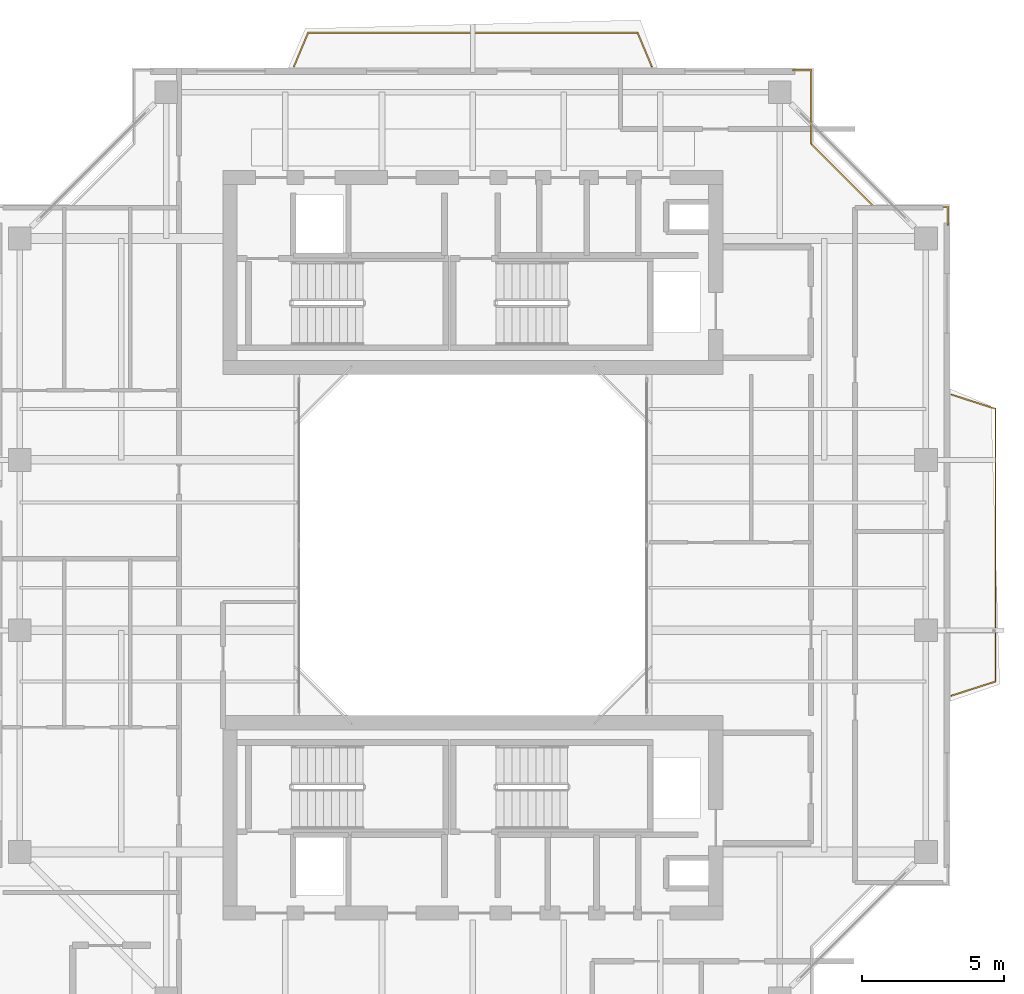
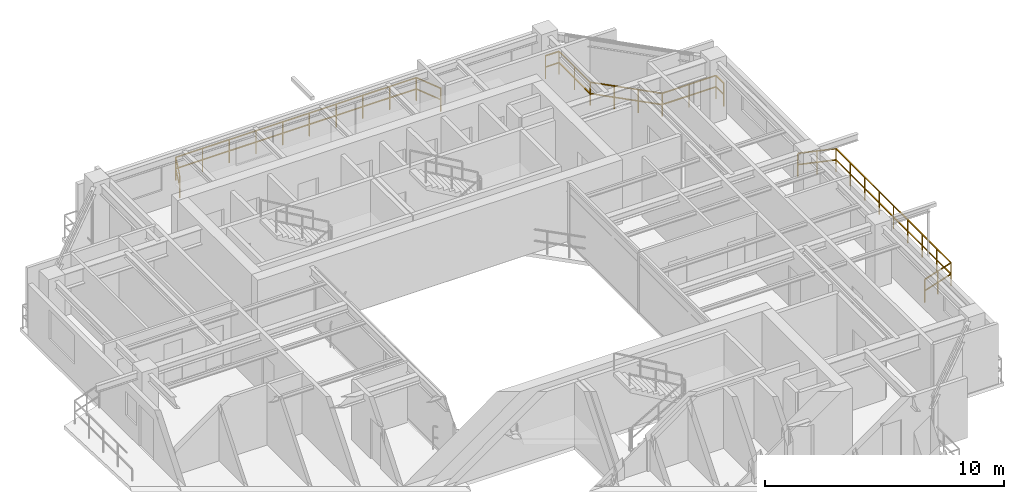
# One storey, part 15 of 15: 3 railings.
"""IFC4 building model written with IfcOpenShell, lengths in metres."""

import ifcopenshell
import ifcopenshell.guid

model = None  # the IFC model being written
_history = None  # IfcOwnerHistory: only IFC2X3 demands one
_inside = {}  # id of a spatial element -> (the spatial element, [elements in it])
_under = {}  # id of a project, library or spatial element -> (it, [spatial elements below it])
_declared = {}  # id of a project -> (the project, [libraries it declares])
_typed = {}  # id of a type object -> (the type object, [elements of that type])
_made_of = {}  # id of a material, layer set ... -> (it, [elements and type objects made of it])


def new_model(schema):
    """Start an empty IFC model of exactly this schema.

    Asked for "IFC4X3", IfcOpenShell would pick the latest addendum, in which some entities
    have other attributes; the version numbers below select the first issue.
    IFC2X3 requires an IfcOwnerHistory on every rooted entity: one is made here for all.
    """
    global model, _history
    if schema == "IFC4X3":
        model = ifcopenshell.file(schema_version=(4, 3, 0, 0))
    else:
        model = ifcopenshell.file(schema=schema)
    _inside.clear()
    _under.clear()
    _declared.clear()
    _typed.clear()
    _made_of.clear()
    _history = None
    if model.schema == "IFC2X3":
        org = make("IfcOrganization", Name="unknown")
        user = make(
            "IfcPersonAndOrganization",
            ThePerson=make("IfcPerson", FamilyName="unknown"),
            TheOrganization=org,
        )
        app = make(
            "IfcApplication",
            ApplicationDeveloper=org,
            Version="unknown",
            ApplicationFullName="unknown",
            ApplicationIdentifier="unknown",
        )
        _history = make(
            "IfcOwnerHistory",
            OwningUser=user,
            OwningApplication=app,
            ChangeAction="ADDED",
            CreationDate=0,
        )
    return model


def make(cls, **values):
    """One entity of the class cls with the attributes given. An attribute that is None is left unset."""
    return model.create_entity(
        cls, **{name: value for name, value in values.items() if value is not None}
    )


def rooted(cls, **values):
    """An entity with a GlobalId (a new one), such as an element, a storey or a relation."""
    return make(cls, GlobalId=ifcopenshell.guid.new(), OwnerHistory=_history, **values)


def si_unit(unit_type, name, prefix=None):
    """IfcSIUnit, for example si_unit("LENGTHUNIT", "METRE", prefix="MILLI")."""
    return make("IfcSIUnit", UnitType=unit_type, Prefix=prefix, Name=name)


def assignment(units):
    """IfcUnitAssignment: the units of a project."""
    return None if units is None else make("IfcUnitAssignment", Units=units)


def point(xyz):
    """IfcCartesianPoint."""
    return None if xyz is None else make("IfcCartesianPoint", Coordinates=xyz)


def direction(xyz):
    """IfcDirection."""
    return None if xyz is None else make("IfcDirection", DirectionRatios=xyz)


def frame(location, z_axis=None, x_axis=None):
    """IfcAxis2Placement3D, a coordinate frame: its origin and axes. An axis left out is left unset."""
    return make(
        "IfcAxis2Placement3D",
        Location=point(location),
        Axis=direction(z_axis),
        RefDirection=direction(x_axis),
    )


def frame_2d(location, x_axis=None):
    """IfcAxis2Placement2D, a coordinate frame in the plane: its origin and x axis."""
    return make(
        "IfcAxis2Placement2D", Location=point(location), RefDirection=direction(x_axis)
    )


def origin():
    """The frame at (0, 0, 0) with its axes left unset."""
    return frame((0.0, 0.0, 0.0))


def origin_2d():
    """The frame at (0, 0) in the plane with its x axis left unset."""
    return frame_2d((0.0, 0.0))


def place(relative_to, where):
    """IfcLocalPlacement: puts the frame where relative to a parent placement (None: the world)."""
    return make(
        "IfcLocalPlacement", PlacementRelTo=relative_to, RelativePlacement=where
    )


def context(
    kind, dimensions, precision=None, world=None, true_north=None, identifier=None
):
    """IfcGeometricRepresentationContext, for example the 3D "Model" context."""
    return make(
        "IfcGeometricRepresentationContext",
        ContextIdentifier=identifier,
        ContextType=kind,
        CoordinateSpaceDimension=dimensions,
        Precision=precision,
        WorldCoordinateSystem=world,
        TrueNorth=true_north,
    )


def subcontext(parent, identifier, kind, view, scale=None):
    """IfcGeometricRepresentationSubContext, for example "Body" below "Model"."""
    return make(
        "IfcGeometricRepresentationSubContext",
        ContextIdentifier=identifier,
        ContextType=kind,
        ParentContext=parent,
        TargetScale=scale,
        TargetView=view,
    )


def project(units=None, contexts=None):
    """IfcProject with its units and contexts."""
    return rooted(
        "IfcProject",
        Name="project",
        RepresentationContexts=contexts,
        UnitsInContext=assignment(units),
    )


def spatial(cls, under=None, at=None, **own):
    """A site, building, storey or space (cls), placed at a placement, below another one or the project."""
    s = rooted(cls, ObjectPlacement=at, **own)
    if under is not None:
        _under.setdefault(under.id(), (under, []))[1].append(s)
    return s


def profile(cls, at=None, kind="AREA", **sizes):
    """A parametric profile (cls). Its sizes go by their IFC names, for example OverallWidth=200.0."""
    return make(cls, ProfileType=kind, Position=at, **sizes)


def rectangle(**sizes):
    """IfcRectangleProfileDef."""
    return profile("IfcRectangleProfileDef", **sizes)


def extrude(swept, where, along, depth):
    """IfcExtrudedAreaSolid: the profile swept, set in the frame where, extruded along a direction by depth."""
    return make(
        "IfcExtrudedAreaSolid",
        SweptArea=swept,
        Position=where,
        ExtrudedDirection=direction(along),
        Depth=depth,
    )


def shape(context_of_items, identifier, shape_type, items):
    """IfcShapeRepresentation: the items that make up one representation, for example the "Body"."""
    return make(
        "IfcShapeRepresentation",
        ContextOfItems=context_of_items,
        RepresentationIdentifier=identifier,
        RepresentationType=shape_type,
        Items=items,
    )


def material(Name=None, Category=None):
    """IfcMaterial."""
    return make("IfcMaterial", Name=Name, Category=Category)


def made_of(thing, what):
    """Note that an element or type object is made of a material, layer set ...; save() writes the relation."""
    if what is not None:
        _made_of.setdefault(what.id(), (what, []))[1].append(thing)
    return thing


def type_object(cls, material=None, **own):
    """A type object (cls), such as IfcWallType, which elements share."""
    return made_of(rooted(cls, **own), material)


def element(
    cls,
    number,
    at=None,
    inside=None,
    cuts=None,
    type_object=None,
    material=None,
    context=None,
    identifier="Body",
    shape_type=None,
    held_by="IfcProductDefinitionShape",
    body=None,
    shapes=None,
    **own,
):
    """One element of the class cls, such as IfcWall. Its Tag is "e" and its number.

    at: its placement. inside: the storey or other place that contains it. cuts: it is an
    opening in that element (IfcRelVoidsElement). A single representation is given by context,
    identifier, shape_type and body (its items); several are given by shapes. held_by: the class
    of the entity that holds the representations. save() writes the other relations.
    """
    e = rooted(cls, Tag="e%d" % number, ObjectPlacement=at, **own)
    if body is not None:
        shapes = [shape(context, identifier, shape_type, body)]
    if shapes is not None:
        e.Representation = make(held_by, Representations=shapes)
    if inside is not None:
        _inside.setdefault(inside.id(), (inside, []))[1].append(e)
    if cuts is not None:
        rooted(
            "IfcRelVoidsElement", RelatingBuildingElement=cuts, RelatedOpeningElement=e
        )
    if type_object is not None:
        _typed.setdefault(type_object.id(), (type_object, []))[1].append(e)
    return made_of(e, material)


def aggregate(whole, parts):
    """IfcRelAggregates: a whole, such as a stair, and the parts it consists of."""
    return rooted("IfcRelAggregates", RelatingObject=whole, RelatedObjects=parts)


def save(model, path):
    """Write the relations noted so far, then the file.

    IfcRelAggregates (storeys below a building ...), IfcRelContainedInSpatialStructure (elements
    in a storey), IfcRelDefinesByType, IfcRelAssociatesMaterial and IfcRelDeclares: one each for
    every whole, place, type object, material and project.
    """
    for whole, parts in _under.values():
        aggregate(whole, parts)
    for where, things in _inside.values():
        rooted(
            "IfcRelContainedInSpatialStructure",
            RelatedElements=things,
            RelatingStructure=where,
        )
    for kind, things in _typed.values():
        rooted("IfcRelDefinesByType", RelatedObjects=things, RelatingType=kind)
    for what, things in _made_of.values():
        rooted("IfcRelAssociatesMaterial", RelatedObjects=things, RelatingMaterial=what)
    for by, libraries in _declared.values():
        rooted("IfcRelDeclares", RelatingContext=by, RelatedDefinitions=libraries)
    model.write(path)


model = new_model("IFC4")

# Units and contexts
model_context = context("Model", 3, precision=1e-05, world=origin(), true_north=direction((0.0, 1.0)))
body_context = subcontext(model_context, "Body", "Model", "MODEL_VIEW")
ifc_project = project(units=[si_unit("LENGTHUNIT", "METRE"), si_unit("AREAUNIT", "SQUARE_METRE"), si_unit("VOLUMEUNIT", "CUBIC_METRE"), si_unit("PLANEANGLEUNIT", "RADIAN"), si_unit("MASSUNIT", "GRAM", prefix="KILO"), si_unit("THERMODYNAMICTEMPERATUREUNIT", "KELVIN"), si_unit("POWERUNIT", "WATT")], contexts=[model_context])

# Site, building, storey
site_placement = place(None, origin())
site = spatial("IfcSite", under=ifc_project, at=site_placement, CompositionType="ELEMENT")
building_placement = place(site_placement, origin())
building = spatial("IfcBuilding", under=site, at=building_placement, Name="Qiaomeng Ring Towers", CompositionType="ELEMENT")
storey_placement = place(building_placement, frame((0.0, 0.0, 193.75)))
storey = spatial("IfcBuildingStorey", under=building, at=storey_placement, Name="L56", CompositionType="ELEMENT", Elevation=193.75)

# Railings
ifc_material = material(Name="Low-E pale-green laminated safety glass", Category="glass")
railing_type = type_object("IfcRailingType", Name="ARC-RL-BAL1", PredefinedType="BALUSTRADE", material=ifc_material)
railing_1_placement = place(storey_placement, frame((35.719970703125, 34.27001953125, 0.0)))
element("IfcRailing", 1, at=railing_1_placement, inside=storey, type_object=railing_type, Name="L56 Balustrade ARC-BAL-NOTCH1-L56-NE", PredefinedType="BALUSTRADE", context=body_context, shape_type="SweptSolid", body=[
    extrude(rectangle(XDim=0.048095703125, YDim=0.048095703125, at=origin_2d()), frame((0.0, 0.0, 1.17578125), z_axis=(0.0, 1.0, 0.0), x_axis=(-1.0, 0.0, 0.0)), (0.0, 0.0, 1.0), 0.64990234375),
    extrude(rectangle(XDim=0.048095703125, YDim=0.048095703125, at=origin_2d()), frame((0.0, 0.0, 0.60009765625), z_axis=(0.0, 1.0, 0.0), x_axis=(-1.0, 0.0, 0.0)), (0.0, 0.0, 1.0), 0.64990234375),
    extrude(rectangle(XDim=0.048095703125, YDim=0.048095703125, at=origin_2d()), frame((0.0, 0.64990234375, 1.17578125), z_axis=(-1.0, 0.0, 0.0), x_axis=(0.0, -1.0, 0.0)), (0.0, 0.0, 1.0), 2.599853515625),
    extrude(rectangle(XDim=0.048095703125, YDim=0.048095703125, at=origin_2d()), frame((0.0, 0.64990234375, 0.60009765625), z_axis=(-1.0, 0.0, 0.0), x_axis=(0.0, -1.0, 0.0)), (0.0, 0.0, 1.0), 2.599853515625),
    extrude(rectangle(XDim=0.048095703125, YDim=0.048095703125, at=origin_2d()), frame((-2.599853515625, 0.64990234375, 1.17578125), z_axis=(-0.707106781187, 0.707106781187, 0.0), x_axis=(-0.707106781187, -0.707106781187, 0.0)), (0.0, 0.0, 1.0), 3.111572265625),
    extrude(rectangle(XDim=0.048095703125, YDim=0.048095703125, at=origin_2d()), frame((-2.599853515625, 0.64990234375, 0.60009765625), z_axis=(-0.707106781187, 0.707106781187, 0.0), x_axis=(-0.707106781187, -0.707106781187, 0.0)), (0.0, 0.0, 1.0), 3.111572265625),
    extrude(rectangle(XDim=0.048095703125, YDim=0.048095703125, at=origin_2d()), frame((-4.800048828125, 2.85009765625, 1.17578125), z_axis=(0.0, 1.0, 0.0), x_axis=(-1.0, 0.0, 0.0)), (0.0, 0.0, 1.0), 2.599853515625),
    extrude(rectangle(XDim=0.048095703125, YDim=0.048095703125, at=origin_2d()), frame((-4.800048828125, 2.85009765625, 0.60009765625), z_axis=(0.0, 1.0, 0.0), x_axis=(-1.0, 0.0, 0.0)), (0.0, 0.0, 1.0), 2.599853515625),
    extrude(rectangle(XDim=0.048095703125, YDim=0.048095703125, at=origin_2d()), frame((-4.800048828125, 5.449951171875, 1.17578125), z_axis=(-1.0, 0.0, 0.0), x_axis=(0.0, -1.0, 0.0)), (0.0, 0.0, 1.0), 0.64990234375),
    extrude(rectangle(XDim=0.048095703125, YDim=0.048095703125, at=origin_2d()), frame((-4.800048828125, 5.449951171875, 0.60009765625), z_axis=(-1.0, 0.0, 0.0), x_axis=(0.0, -1.0, 0.0)), (0.0, 0.0, 1.0), 0.64990234375),
    extrude(rectangle(XDim=0.0419921875, YDim=0.0419921875, at=origin_2d()), origin(), (0.0, 0.0, 1.0), 1.15185546875),
    extrude(rectangle(XDim=0.0419921875, YDim=0.0419921875, at=origin_2d()), frame((0.0, 0.64990234375, 0.0)), (0.0, 0.0, 1.0), 1.15185546875),
    extrude(rectangle(XDim=0.0419921875, YDim=0.0419921875, at=origin_2d()), frame((-1.2998046875, 0.64990234375, 0.0)), (0.0, 0.0, 1.0), 1.15185546875),
    extrude(rectangle(XDim=0.0419921875, YDim=0.0419921875, at=origin_2d()), frame((-2.599853515625, 0.64990234375, 0.0)), (0.0, 0.0, 1.0), 1.15185546875),
    extrude(rectangle(XDim=0.0419921875, YDim=0.0419921875, at=origin_2d()), frame((-3.333251953125, 1.38330078125, 0.0)), (0.0, 0.0, 1.0), 1.15185546875),
    extrude(rectangle(XDim=0.0419921875, YDim=0.0419921875, at=origin_2d()), frame((-4.066650390625, 2.11669921875, 0.0)), (0.0, 0.0, 1.0), 1.15185546875),
    extrude(rectangle(XDim=0.0419921875, YDim=0.0419921875, at=origin_2d()), frame((-4.800048828125, 2.85009765625, 0.0)), (0.0, 0.0, 1.0), 1.15185546875),
    extrude(rectangle(XDim=0.0419921875, YDim=0.0419921875, at=origin_2d()), frame((-4.800048828125, 4.14990234375, 0.0)), (0.0, 0.0, 1.0), 1.15185546875),
    extrude(rectangle(XDim=0.0419921875, YDim=0.0419921875, at=origin_2d()), frame((-4.800048828125, 5.449951171875, 0.0)), (0.0, 0.0, 1.0), 1.15185546875),
    extrude(rectangle(XDim=0.0419921875, YDim=0.0419921875, at=origin_2d()), frame((-5.449951171875, 5.449951171875, 0.0)), (0.0, 0.0, 1.0), 1.15185546875),
])
railing_2_placement = place(storey_placement, frame((35.85009765625, 17.699951171875, 0.0)))
element("IfcRailing", 2, at=railing_2_placement, inside=storey, type_object=railing_type, Name="L56 Balustrade ARC-BAL-L56-T1-E", PredefinedType="BALUSTRADE", context=body_context, shape_type="SweptSolid", body=[
    extrude(rectangle(XDim=0.048095703125, YDim=0.048095703125, at=origin_2d()), frame((0.0, 0.0, 1.17578125), z_axis=(0.951697313001, 0.307037822468, 0.0), x_axis=(-0.307037822468, 0.951697313001, 0.0)), (0.0, 0.0, 1.0), 1.62841796875),
    extrude(rectangle(XDim=0.048095703125, YDim=0.048095703125, at=origin_2d()), frame((0.0, 0.0, 0.60009765625), z_axis=(0.951697313001, 0.307037822468, 0.0), x_axis=(-0.307037822468, 0.951697313001, 0.0)), (0.0, 0.0, 1.0), 1.62841796875),
    extrude(rectangle(XDim=0.048095703125, YDim=0.048095703125, at=origin_2d()), frame((1.5498046875, 0.5, 1.17578125), z_axis=(0.0, 1.0, 0.0), x_axis=(-1.0, 0.0, 0.0)), (0.0, 0.0, 1.0), 9.60009765625),
    extrude(rectangle(XDim=0.048095703125, YDim=0.048095703125, at=origin_2d()), frame((1.5498046875, 0.5, 0.60009765625), z_axis=(0.0, 1.0, 0.0), x_axis=(-1.0, 0.0, 0.0)), (0.0, 0.0, 1.0), 9.60009765625),
    extrude(rectangle(XDim=0.048095703125, YDim=0.048095703125, at=origin_2d()), frame((1.5498046875, 10.10009765625, 1.17578125), z_axis=(-0.951697313001, 0.307037822468, 0.0), x_axis=(-0.307037822468, -0.951697313001, 0.0)), (0.0, 0.0, 1.0), 1.62841796875),
    extrude(rectangle(XDim=0.048095703125, YDim=0.048095703125, at=origin_2d()), frame((1.5498046875, 10.10009765625, 0.60009765625), z_axis=(-0.951697313001, 0.307037822468, 0.0), x_axis=(-0.307037822468, -0.951697313001, 0.0)), (0.0, 0.0, 1.0), 1.62841796875),
    extrude(rectangle(XDim=0.0419921875, YDim=0.0419921875, at=origin_2d()), origin(), (0.0, 0.0, 1.0), 1.15185546875),
    extrude(rectangle(XDim=0.0419921875, YDim=0.0419921875, at=origin_2d()), frame((0.77490234375, 0.25, 0.0)), (0.0, 0.0, 1.0), 1.15185546875),
    extrude(rectangle(XDim=0.0419921875, YDim=0.0419921875, at=origin_2d()), frame((1.5498046875, 0.5, 0.0)), (0.0, 0.0, 1.0), 1.15185546875),
    extrude(rectangle(XDim=0.0419921875, YDim=0.0419921875, at=origin_2d()), frame((1.5498046875, 1.699951171875, 0.0)), (0.0, 0.0, 1.0), 1.15185546875),
    extrude(rectangle(XDim=0.0419921875, YDim=0.0419921875, at=origin_2d()), frame((1.5498046875, 2.89990234375, 0.0)), (0.0, 0.0, 1.0), 1.15185546875),
    extrude(rectangle(XDim=0.0419921875, YDim=0.0419921875, at=origin_2d()), frame((1.5498046875, 4.10009765625, 0.0)), (0.0, 0.0, 1.0), 1.15185546875),
    extrude(rectangle(XDim=0.0419921875, YDim=0.0419921875, at=origin_2d()), frame((1.5498046875, 5.300048828125, 0.0)), (0.0, 0.0, 1.0), 1.15185546875),
    extrude(rectangle(XDim=0.0419921875, YDim=0.0419921875, at=origin_2d()), frame((1.5498046875, 6.5, 0.0)), (0.0, 0.0, 1.0), 1.15185546875),
    extrude(rectangle(XDim=0.0419921875, YDim=0.0419921875, at=origin_2d()), frame((1.5498046875, 7.7001953125, 0.0)), (0.0, 0.0, 1.0), 1.15185546875),
    extrude(rectangle(XDim=0.0419921875, YDim=0.0419921875, at=origin_2d()), frame((1.5498046875, 8.900146484375, 0.0)), (0.0, 0.0, 1.0), 1.15185546875),
    extrude(rectangle(XDim=0.0419921875, YDim=0.0419921875, at=origin_2d()), frame((1.5498046875, 10.10009765625, 0.0)), (0.0, 0.0, 1.0), 1.15185546875),
    extrude(rectangle(XDim=0.0419921875, YDim=0.0419921875, at=origin_2d()), frame((0.77490234375, 10.35009765625, 0.0)), (0.0, 0.0, 1.0), 1.15185546875),
    extrude(rectangle(XDim=0.0419921875, YDim=0.0419921875, at=origin_2d()), frame((0.0, 10.60009765625, 0.0)), (0.0, 0.0, 1.0), 1.15185546875),
])
railing_3_placement = place(storey_placement, frame((12.699951171875, 39.85009765625, 0.0)))
element("IfcRailing", 3, at=railing_3_placement, inside=storey, type_object=railing_type, Name="L56 Balustrade ARC-BAL-L56-T1-N", PredefinedType="BALUSTRADE", context=body_context, shape_type="SweptSolid", body=[
    extrude(rectangle(XDim=0.048095703125, YDim=0.048095703125, at=origin_2d()), frame((0.0, 0.0, 1.17578125), z_axis=(0.387380404006, 0.921919965394, 0.0), x_axis=(-0.921919965394, 0.387380404006, 0.0)), (0.0, 0.0, 1.0), 1.290771484375),
    extrude(rectangle(XDim=0.048095703125, YDim=0.048095703125, at=origin_2d()), frame((0.0, 0.0, 0.60009765625), z_axis=(0.387380404006, 0.921919965394, 0.0), x_axis=(-0.921919965394, 0.387380404006, 0.0)), (0.0, 0.0, 1.0), 1.290771484375),
    extrude(rectangle(XDim=0.048095703125, YDim=0.048095703125, at=origin_2d()), frame((0.5, 1.18994140625, 1.17578125), z_axis=(1.0, 0.0, 0.0), x_axis=(0.0, 1.0, 0.0)), (0.0, 0.0, 1.0), 11.60009765625),
    extrude(rectangle(XDim=0.048095703125, YDim=0.048095703125, at=origin_2d()), frame((0.5, 1.18994140625, 0.60009765625), z_axis=(1.0, 0.0, 0.0), x_axis=(0.0, 1.0, 0.0)), (0.0, 0.0, 1.0), 11.60009765625),
    extrude(rectangle(XDim=0.048095703125, YDim=0.048095703125, at=origin_2d()), frame((12.10009765625, 1.18994140625, 1.17578125), z_axis=(0.387380404006, -0.921919965394, 0.0), x_axis=(0.921919965394, 0.387380404006, 0.0)), (0.0, 0.0, 1.0), 1.290771484375),
    extrude(rectangle(XDim=0.048095703125, YDim=0.048095703125, at=origin_2d()), frame((12.10009765625, 1.18994140625, 0.60009765625), z_axis=(0.387380404006, -0.921919965394, 0.0), x_axis=(0.921919965394, 0.387380404006, 0.0)), (0.0, 0.0, 1.0), 1.290771484375),
    extrude(rectangle(XDim=0.0419921875, YDim=0.0419921875, at=origin_2d()), origin(), (0.0, 0.0, 1.0), 1.15185546875),
    extrude(rectangle(XDim=0.0419921875, YDim=0.0419921875, at=origin_2d()), frame((0.5, 1.18994140625, 0.0)), (0.0, 0.0, 1.0), 1.15185546875),
    extrude(rectangle(XDim=0.0419921875, YDim=0.0419921875, at=origin_2d()), frame((1.788818359375, 1.18994140625, 0.0)), (0.0, 0.0, 1.0), 1.15185546875),
    extrude(rectangle(XDim=0.0419921875, YDim=0.0419921875, at=origin_2d()), frame((3.077880859375, 1.18994140625, 0.0)), (0.0, 0.0, 1.0), 1.15185546875),
    extrude(rectangle(XDim=0.0419921875, YDim=0.0419921875, at=origin_2d()), frame((4.36669921875, 1.18994140625, 0.0)), (0.0, 0.0, 1.0), 1.15185546875),
    extrude(rectangle(XDim=0.0419921875, YDim=0.0419921875, at=origin_2d()), frame((5.655517578125, 1.18994140625, 0.0)), (0.0, 0.0, 1.0), 1.15185546875),
    extrude(rectangle(XDim=0.0419921875, YDim=0.0419921875, at=origin_2d()), frame((6.944580078125, 1.18994140625, 0.0)), (0.0, 0.0, 1.0), 1.15185546875),
    extrude(rectangle(XDim=0.0419921875, YDim=0.0419921875, at=origin_2d()), frame((8.2333984375, 1.18994140625, 0.0)), (0.0, 0.0, 1.0), 1.15185546875),
    extrude(rectangle(XDim=0.0419921875, YDim=0.0419921875, at=origin_2d()), frame((9.522216796875, 1.18994140625, 0.0)), (0.0, 0.0, 1.0), 1.15185546875),
    extrude(rectangle(XDim=0.0419921875, YDim=0.0419921875, at=origin_2d()), frame((10.811279296875, 1.18994140625, 0.0)), (0.0, 0.0, 1.0), 1.15185546875),
    extrude(rectangle(XDim=0.0419921875, YDim=0.0419921875, at=origin_2d()), frame((12.10009765625, 1.18994140625, 0.0)), (0.0, 0.0, 1.0), 1.15185546875),
    extrude(rectangle(XDim=0.0419921875, YDim=0.0419921875, at=origin_2d()), frame((12.60009765625, 0.0, 0.0)), (0.0, 0.0, 1.0), 1.15185546875),
])

save(model, "model.ifc")
